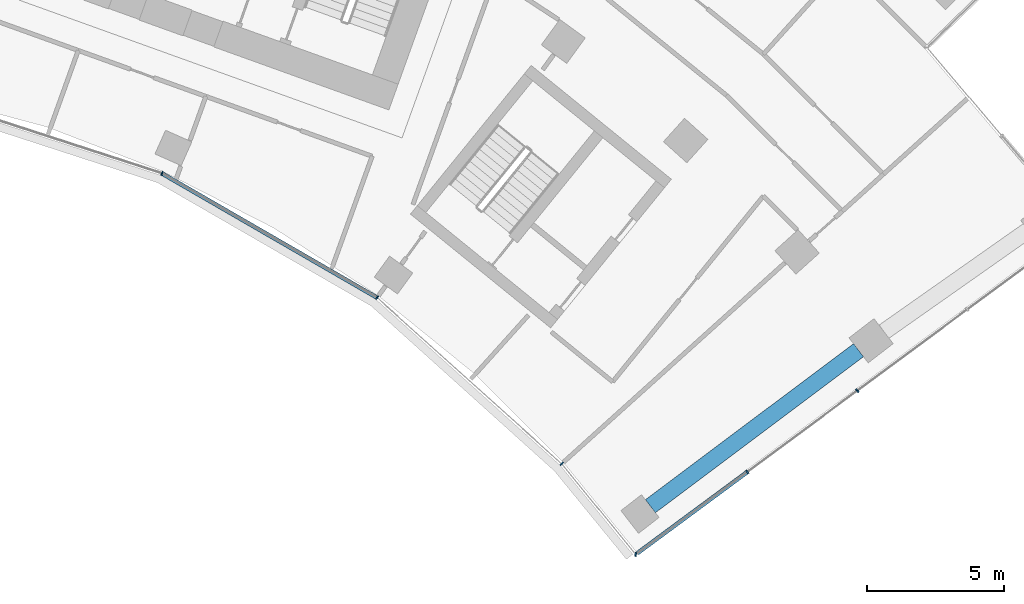
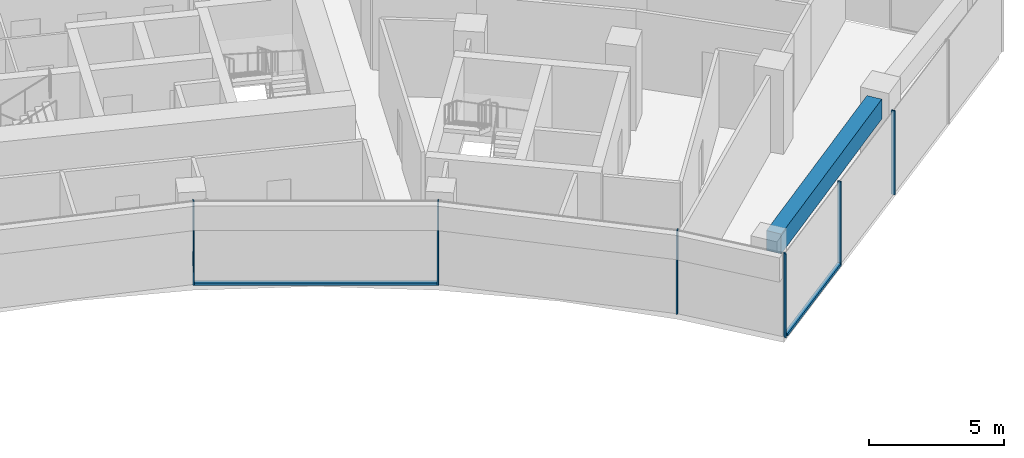
# One storey, part 7 of 20: 8 members, 1 beam, 2 elements without a shape of their own.
"""IFC4 building model written with IfcOpenShell, lengths in metres."""

from ifc_helpers import new_model, si_unit, direction, frame, origin, origin_2d, place, context, subcontext, project, spatial, rectangle, extrude, material, layer, layer_set, material_profile, profile_set, type_object, element, aggregate, save


model = new_model("IFC4")

# Units and contexts
model_context = context("Model", 3, precision=1e-05, world=origin(), true_north=direction((0.0, 1.0)))
body_context = subcontext(model_context, "Body", "Model", "MODEL_VIEW")
ifc_project = project(units=[si_unit("LENGTHUNIT", "METRE"), si_unit("AREAUNIT", "SQUARE_METRE"), si_unit("VOLUMEUNIT", "CUBIC_METRE"), si_unit("PLANEANGLEUNIT", "RADIAN"), si_unit("MASSUNIT", "GRAM", prefix="KILO")], contexts=[model_context])

# Site, building, storey
site_placement = place(None, origin())
site = spatial("IfcSite", under=ifc_project, at=site_placement, CompositionType="ELEMENT")
building_placement = place(site_placement, origin())
building = spatial("IfcBuilding", under=site, at=building_placement, Name="Stone Belt Terrace Tower", CompositionType="ELEMENT")
storey_placement = place(building_placement, frame((0.0, 0.0, 201.0)))
storey = spatial("IfcBuildingStorey", under=building, at=storey_placement, Name="L48", CompositionType="ELEMENT", Elevation=201.0)

# Curtain wall, members
ifc_material_1 = material(Name="Aluminium 6063-T6 anodised frame", Category="aluminium")
ifc_layer_1 = layer(ifc_material_1, 0.14990234375)
ifc_layer_set_1 = layer_set([ifc_layer_1], Name="CW-B unitised concave-face curtain wall")
curtain_wall_type_1 = type_object("IfcCurtainWallType", Name="CW-B unitised concave-face curtain wall", PredefinedType="NOTDEFINED", material=ifc_layer_set_1)
curtain_wall_1_placement = place(storey_placement, origin())
curtain_wall_1 = element("IfcCurtainWall", 1, at=curtain_wall_1_placement, inside=storey, type_object=curtain_wall_type_1, Name="CW-B concave face L48", PredefinedType="NOTDEFINED")
ifc_material_profile_1 = material_profile(ifc_material_1, rectangle(XDim=0.14990234375, YDim=0.050048828125, at=origin_2d()), Name="Aluminium 6063-T6 50x150")
ifc_profile_set_1 = profile_set([ifc_material_profile_1], Name="Aluminium 6063-T6 anodised frame")
member_type_1 = type_object("IfcMemberType", Name="CW-B mullion 50 x 150", PredefinedType="MULLION", material=ifc_profile_set_1)
member_1_placement = place(storey_placement, frame((17.662353515625, 39.67041015625, 0.0), z_axis=(0.0, 0.0, 1.0), x_axis=(0.406736643076, 0.913545457643, 0.0)))
member_1 = element("IfcMember", 2, at=member_1_placement, type_object=member_type_1, Name="CW-B mullion 7", PredefinedType="MULLION", context=body_context, shape_type="SweptSolid", body=[
    extrude(rectangle(XDim=0.14990234375, YDim=0.050048828125, at=origin_2d()), origin(), (0.0, 0.0, 1.0), 3.800048828125),
])
member_2_placement = place(storey_placement, frame((25.5244140625, 35.13134765625, 0.0), z_axis=(0.0, 0.0, 1.0), x_axis=(0.587785252292, 0.809016994375, 0.0)))
member_2 = element("IfcMember", 3, at=member_2_placement, type_object=member_type_1, Name="CW-B mullion 8", PredefinedType="MULLION", context=body_context, shape_type="SweptSolid", body=[
    extrude(rectangle(XDim=0.14990234375, YDim=0.050048828125, at=origin_2d()), origin(), (0.0, 0.0, 1.0), 3.800048828125),
])
member_3_placement = place(storey_placement, frame((32.2724609375, 29.05517578125, 0.0), z_axis=(0.0, 0.0, 1.0), x_axis=(0.724007879695, 0.689791700544, 0.0)))
member_3 = element("IfcMember", 4, at=member_3_placement, type_object=member_type_1, Name="CW-B mullion 9", PredefinedType="MULLION", context=body_context, shape_type="SweptSolid", body=[
    extrude(rectangle(XDim=0.14990234375, YDim=0.050048828125, at=origin_2d()), origin(), (0.0, 0.0, 1.0), 3.800048828125),
])
ifc_material_profile_2 = material_profile(ifc_material_1, rectangle(XDim=0.14990234375, YDim=0.1201171875, at=origin_2d()), Name="Aluminium 6063-T6 150x120")
ifc_profile_set_2 = profile_set([ifc_material_profile_2], Name="Aluminium 6063-T6 anodised frame")
member_type_2 = type_object("IfcMemberType", Name="CW-B transom 120 x 150", PredefinedType="USERDEFINED", material=ifc_profile_set_2)
member_4_placement = place(storey_placement, frame((17.690673828125, 39.654052734375, 0.06005859375), z_axis=(0.866019133895, -0.500010859609, 0.0), x_axis=(0.500010859609, 0.866019133895, 0.0)))
member_4 = element("IfcMember", 5, at=member_4_placement, type_object=member_type_2, Name="CW-B transom 7.1", ObjectType="TRANSOM", PredefinedType="USERDEFINED", context=body_context, shape_type="SweptSolid", body=[
    extrude(rectangle(XDim=0.14990234375, YDim=0.1201171875, at=origin_2d()), origin(), (0.0, 0.0, 1.0), 9.012939453125),
])
aggregate(curtain_wall_1, [member_1, member_2, member_3, member_4])

ifc_layer_2 = layer(ifc_material_1, 0.14990234375)
ifc_layer_set_2 = layer_set([ifc_layer_2], Name="CW-C stick curtain wall, horn ends and notches")
curtain_wall_type_2 = type_object("IfcCurtainWallType", Name="CW-C stick curtain wall, horn ends and notches", PredefinedType="NOTDEFINED", material=ifc_layer_set_2)
curtain_wall_2_placement = place(storey_placement, origin())
curtain_wall_2 = element("IfcCurtainWall", 6, at=curtain_wall_2_placement, inside=storey, type_object=curtain_wall_type_2, Name="CW-C end face L48", PredefinedType="NOTDEFINED")
ifc_material_profile_3 = material_profile(ifc_material_1, rectangle(XDim=0.14990234375, YDim=0.06005859375, at=origin_2d()), Name="Aluminium 6063-T6 60x150")
ifc_profile_set_3 = profile_set([ifc_material_profile_3], Name="Aluminium 6063-T6 anodised frame")
member_type_3 = type_object("IfcMemberType", Name="CW-C mullion 60 x 150", PredefinedType="MULLION", material=ifc_profile_set_3)
member_5_placement = place(storey_placement, frame((34.975341796875, 25.744140625, 0.0), z_axis=(0.0, 0.0, 1.0), x_axis=(0.124625557677, 0.992203845172, 0.0)))
member_5 = element("IfcMember", 7, at=member_5_placement, type_object=member_type_3, Name="CW-C mullion 1", PredefinedType="MULLION", context=body_context, shape_type="SweptSolid", body=[
    extrude(rectangle(XDim=0.14990234375, YDim=0.06005859375, at=origin_2d()), origin(), (0.0, 0.0, 1.0), 3.800048828125),
])
member_6_placement = place(storey_placement, frame((39.054443359375, 28.757568359375, 0.0), z_axis=(0.0, 0.0, 1.0), x_axis=(-0.594184091865, 0.804329077539, 0.0)))
member_6 = element("IfcMember", 8, at=member_6_placement, type_object=member_type_3, Name="CW-C mullion 2", PredefinedType="MULLION", context=body_context, shape_type="SweptSolid", body=[
    extrude(rectangle(XDim=0.14990234375, YDim=0.06005859375, at=origin_2d()), origin(), (0.0, 0.0, 1.0), 3.800048828125),
])
member_7_placement = place(storey_placement, frame((43.076171875, 31.728515625, 0.0), z_axis=(0.0, 0.0, 1.0), x_axis=(-0.594184091865, 0.804329077539, 0.0)))
member_7 = element("IfcMember", 9, at=member_7_placement, type_object=member_type_3, Name="CW-C mullion 3", PredefinedType="MULLION", context=body_context, shape_type="SweptSolid", body=[
    extrude(rectangle(XDim=0.14990234375, YDim=0.06005859375, at=origin_2d()), origin(), (0.0, 0.0, 1.0), 3.800048828125),
])
ifc_material_profile_4 = material_profile(ifc_material_1, rectangle(XDim=0.14990234375, YDim=0.1201171875, at=origin_2d()), Name="Aluminium 6063-T6 150x120")
ifc_profile_set_4 = profile_set([ifc_material_profile_4], Name="Aluminium 6063-T6 anodised frame")
member_type_4 = type_object("IfcMemberType", Name="CW-C transom 120 x 150", PredefinedType="USERDEFINED", material=ifc_profile_set_4)
member_8_placement = place(storey_placement, frame((35.034423828125, 25.787841796875, 0.06005859375), z_axis=(0.804325227642, 0.594189303319, 0.0), x_axis=(-0.594189303319, 0.804325227642, 0.0)))
member_8 = element("IfcMember", 10, at=member_8_placement, type_object=member_type_4, Name="CW-C transom 1.1", ObjectType="TRANSOM", PredefinedType="USERDEFINED", context=body_context, shape_type="SweptSolid", body=[
    extrude(rectangle(XDim=0.14990234375, YDim=0.1201171875, at=origin_2d()), origin(), (0.0, 0.0, 1.0), 4.968017578125),
])
aggregate(curtain_wall_2, [member_5, member_6, member_7, member_8])

# Beam
ifc_material_2 = material(Name="Concrete B60", Category="concrete")
ifc_material_profile_5 = material_profile(ifc_material_2, rectangle(XDim=0.60009765625, YDim=0.89990234375, at=origin_2d()), Name="RC 600x900")
ifc_profile_set_5 = profile_set([ifc_material_profile_5], Name="Concrete B60")
beam_type = type_object("IfcBeamType", Name="Edge beam RC 600x900 B60", PredefinedType="SPANDREL", material=ifc_profile_set_5)
beam_placement = place(storey_placement, frame((35.51318359375, 27.5068359375, 3.030029296875), z_axis=(0.800073960697, 0.599901373073, 0.0), x_axis=(-0.599901373073, 0.800073960697, 0.0)))
element("IfcBeam", 11, at=beam_placement, inside=storey, type_object=beam_type, Name="Edge beam L48 B P to Q", PredefinedType="SPANDREL", context=body_context, shape_type="SweptSolid", body=[
    extrude(rectangle(XDim=0.60009765625, YDim=0.89990234375, at=origin_2d()), origin(), (0.0, 0.0, 1.0), 9.505859375),
])

save(model, "model.ifc")
